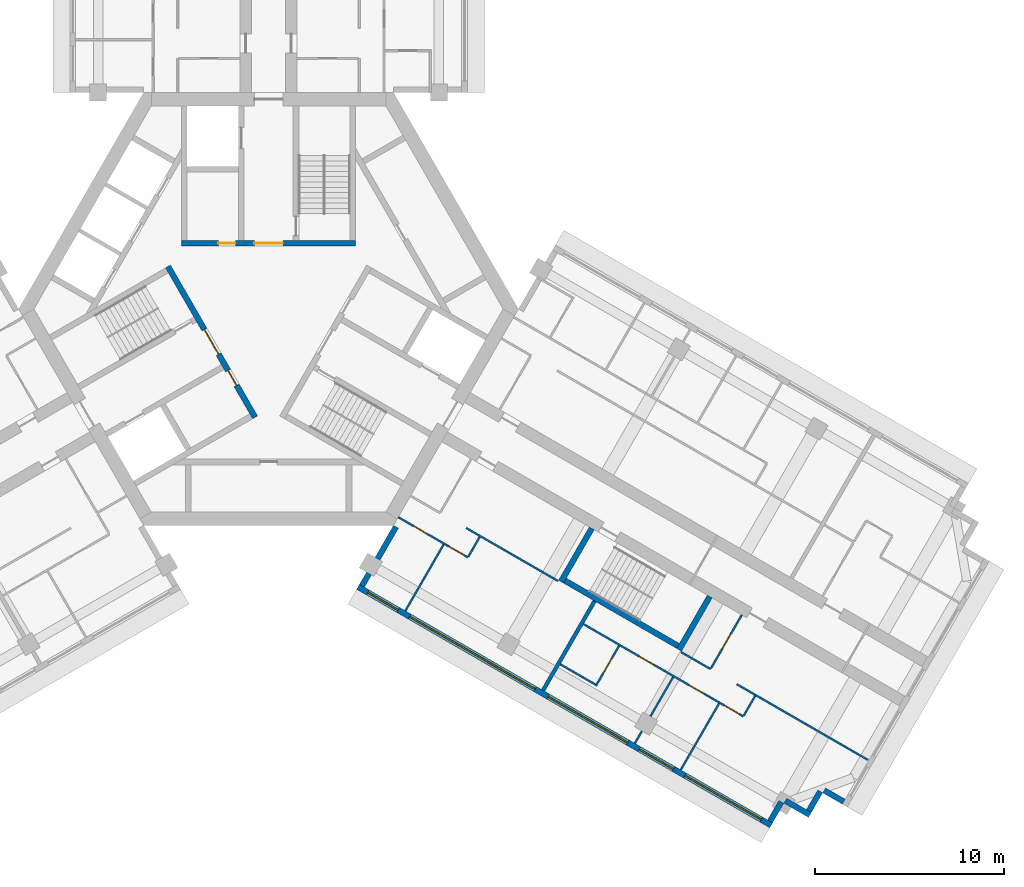
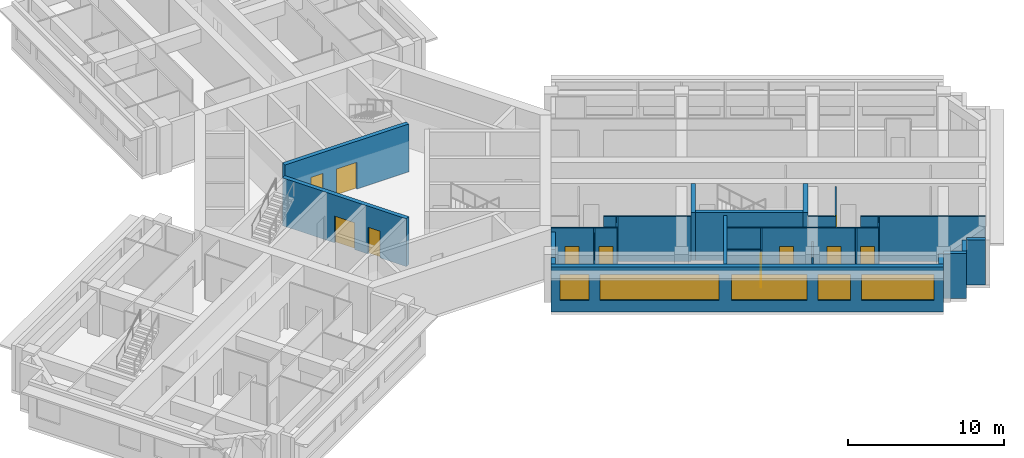
# One storey, part 4 of 10: 27 walls, 11 doors, 5 windows, 16 openings.
"""IFC4 building model written with IfcOpenShell, lengths in metres."""

import ifcopenshell
import ifcopenshell.guid

model = None  # the IFC model being written
_history = None  # IfcOwnerHistory: only IFC2X3 demands one
_inside = {}  # id of a spatial element -> (the spatial element, [elements in it])
_under = {}  # id of a project, library or spatial element -> (it, [spatial elements below it])
_declared = {}  # id of a project -> (the project, [libraries it declares])
_typed = {}  # id of a type object -> (the type object, [elements of that type])
_made_of = {}  # id of a material, layer set ... -> (it, [elements and type objects made of it])


def new_model(schema):
    """Start an empty IFC model of exactly this schema.

    Asked for "IFC4X3", IfcOpenShell would pick the latest addendum, in which some entities
    have other attributes; the version numbers below select the first issue.
    IFC2X3 requires an IfcOwnerHistory on every rooted entity: one is made here for all.
    """
    global model, _history
    if schema == "IFC4X3":
        model = ifcopenshell.file(schema_version=(4, 3, 0, 0))
    else:
        model = ifcopenshell.file(schema=schema)
    _inside.clear()
    _under.clear()
    _declared.clear()
    _typed.clear()
    _made_of.clear()
    _history = None
    if model.schema == "IFC2X3":
        org = make("IfcOrganization", Name="unknown")
        user = make(
            "IfcPersonAndOrganization",
            ThePerson=make("IfcPerson", FamilyName="unknown"),
            TheOrganization=org,
        )
        app = make(
            "IfcApplication",
            ApplicationDeveloper=org,
            Version="unknown",
            ApplicationFullName="unknown",
            ApplicationIdentifier="unknown",
        )
        _history = make(
            "IfcOwnerHistory",
            OwningUser=user,
            OwningApplication=app,
            ChangeAction="ADDED",
            CreationDate=0,
        )
    return model


def make(cls, **values):
    """One entity of the class cls with the attributes given. An attribute that is None is left unset."""
    return model.create_entity(
        cls, **{name: value for name, value in values.items() if value is not None}
    )


def rooted(cls, **values):
    """An entity with a GlobalId (a new one), such as an element, a storey or a relation."""
    return make(cls, GlobalId=ifcopenshell.guid.new(), OwnerHistory=_history, **values)


def si_unit(unit_type, name, prefix=None):
    """IfcSIUnit, for example si_unit("LENGTHUNIT", "METRE", prefix="MILLI")."""
    return make("IfcSIUnit", UnitType=unit_type, Prefix=prefix, Name=name)


def assignment(units):
    """IfcUnitAssignment: the units of a project."""
    return None if units is None else make("IfcUnitAssignment", Units=units)


def point(xyz):
    """IfcCartesianPoint."""
    return None if xyz is None else make("IfcCartesianPoint", Coordinates=xyz)


def direction(xyz):
    """IfcDirection."""
    return None if xyz is None else make("IfcDirection", DirectionRatios=xyz)


def frame(location, z_axis=None, x_axis=None):
    """IfcAxis2Placement3D, a coordinate frame: its origin and axes. An axis left out is left unset."""
    return make(
        "IfcAxis2Placement3D",
        Location=point(location),
        Axis=direction(z_axis),
        RefDirection=direction(x_axis),
    )


def frame_2d(location, x_axis=None):
    """IfcAxis2Placement2D, a coordinate frame in the plane: its origin and x axis."""
    return make(
        "IfcAxis2Placement2D", Location=point(location), RefDirection=direction(x_axis)
    )


def origin():
    """The frame at (0, 0, 0) with its axes left unset."""
    return frame((0.0, 0.0, 0.0))


def place(relative_to, where):
    """IfcLocalPlacement: puts the frame where relative to a parent placement (None: the world)."""
    return make(
        "IfcLocalPlacement", PlacementRelTo=relative_to, RelativePlacement=where
    )


def context(
    kind, dimensions, precision=None, world=None, true_north=None, identifier=None
):
    """IfcGeometricRepresentationContext, for example the 3D "Model" context."""
    return make(
        "IfcGeometricRepresentationContext",
        ContextIdentifier=identifier,
        ContextType=kind,
        CoordinateSpaceDimension=dimensions,
        Precision=precision,
        WorldCoordinateSystem=world,
        TrueNorth=true_north,
    )


def subcontext(parent, identifier, kind, view, scale=None):
    """IfcGeometricRepresentationSubContext, for example "Body" below "Model"."""
    return make(
        "IfcGeometricRepresentationSubContext",
        ContextIdentifier=identifier,
        ContextType=kind,
        ParentContext=parent,
        TargetScale=scale,
        TargetView=view,
    )


def project(units=None, contexts=None):
    """IfcProject with its units and contexts."""
    return rooted(
        "IfcProject",
        Name="project",
        RepresentationContexts=contexts,
        UnitsInContext=assignment(units),
    )


def spatial(cls, under=None, at=None, **own):
    """A site, building, storey or space (cls), placed at a placement, below another one or the project."""
    s = rooted(cls, ObjectPlacement=at, **own)
    if under is not None:
        _under.setdefault(under.id(), (under, []))[1].append(s)
    return s


def profile(cls, at=None, kind="AREA", **sizes):
    """A parametric profile (cls). Its sizes go by their IFC names, for example OverallWidth=200.0."""
    return make(cls, ProfileType=kind, Position=at, **sizes)


def rectangle(**sizes):
    """IfcRectangleProfileDef."""
    return profile("IfcRectangleProfileDef", **sizes)


def extrude(swept, where, along, depth):
    """IfcExtrudedAreaSolid: the profile swept, set in the frame where, extruded along a direction by depth."""
    return make(
        "IfcExtrudedAreaSolid",
        SweptArea=swept,
        Position=where,
        ExtrudedDirection=direction(along),
        Depth=depth,
    )


def shape(context_of_items, identifier, shape_type, items):
    """IfcShapeRepresentation: the items that make up one representation, for example the "Body"."""
    return make(
        "IfcShapeRepresentation",
        ContextOfItems=context_of_items,
        RepresentationIdentifier=identifier,
        RepresentationType=shape_type,
        Items=items,
    )


def material(Name=None, Category=None):
    """IfcMaterial."""
    return make("IfcMaterial", Name=Name, Category=Category)


def layer(
    of_material, thickness, ventilated=None, Name=None, Category=None, Priority=None
):
    """IfcMaterialLayer: one layer of a wall or slab, of a material (None: an air gap)."""
    return make(
        "IfcMaterialLayer",
        Material=of_material,
        LayerThickness=thickness,
        IsVentilated=ventilated,
        Name=Name,
        Category=Category,
        Priority=Priority,
    )


def layer_set(layers, Name=None):
    """IfcMaterialLayerSet."""
    return make("IfcMaterialLayerSet", MaterialLayers=layers, LayerSetName=Name)


def made_of(thing, what):
    """Note that an element or type object is made of a material, layer set ...; save() writes the relation."""
    if what is not None:
        _made_of.setdefault(what.id(), (what, []))[1].append(thing)
    return thing


def type_object(cls, material=None, **own):
    """A type object (cls), such as IfcWallType, which elements share."""
    return made_of(rooted(cls, **own), material)


def element(
    cls,
    number,
    at=None,
    inside=None,
    cuts=None,
    type_object=None,
    material=None,
    context=None,
    identifier="Body",
    shape_type=None,
    held_by="IfcProductDefinitionShape",
    body=None,
    shapes=None,
    **own,
):
    """One element of the class cls, such as IfcWall. Its Tag is "e" and its number.

    at: its placement. inside: the storey or other place that contains it. cuts: it is an
    opening in that element (IfcRelVoidsElement). A single representation is given by context,
    identifier, shape_type and body (its items); several are given by shapes. held_by: the class
    of the entity that holds the representations. save() writes the other relations.
    """
    e = rooted(cls, Tag="e%d" % number, ObjectPlacement=at, **own)
    if body is not None:
        shapes = [shape(context, identifier, shape_type, body)]
    if shapes is not None:
        e.Representation = make(held_by, Representations=shapes)
    if inside is not None:
        _inside.setdefault(inside.id(), (inside, []))[1].append(e)
    if cuts is not None:
        rooted(
            "IfcRelVoidsElement", RelatingBuildingElement=cuts, RelatedOpeningElement=e
        )
    if type_object is not None:
        _typed.setdefault(type_object.id(), (type_object, []))[1].append(e)
    return made_of(e, material)


def fill(opening, filler):
    """IfcRelFillsElement: the door or window that sits in an opening."""
    return rooted(
        "IfcRelFillsElement",
        RelatingOpeningElement=opening,
        RelatedBuildingElement=filler,
    )


def aggregate(whole, parts):
    """IfcRelAggregates: a whole, such as a stair, and the parts it consists of."""
    return rooted("IfcRelAggregates", RelatingObject=whole, RelatedObjects=parts)


def save(model, path):
    """Write the relations noted so far, then the file.

    IfcRelAggregates (storeys below a building ...), IfcRelContainedInSpatialStructure (elements
    in a storey), IfcRelDefinesByType, IfcRelAssociatesMaterial and IfcRelDeclares: one each for
    every whole, place, type object, material and project.
    """
    for whole, parts in _under.values():
        aggregate(whole, parts)
    for where, things in _inside.values():
        rooted(
            "IfcRelContainedInSpatialStructure",
            RelatedElements=things,
            RelatingStructure=where,
        )
    for kind, things in _typed.values():
        rooted("IfcRelDefinesByType", RelatedObjects=things, RelatingType=kind)
    for what, things in _made_of.values():
        rooted("IfcRelAssociatesMaterial", RelatedObjects=things, RelatingMaterial=what)
    for by, libraries in _declared.values():
        rooted("IfcRelDeclares", RelatingContext=by, RelatedDefinitions=libraries)
    model.write(path)


model = new_model("IFC4")

# Units and contexts
model_context = context("Model", 3, precision=1e-05, world=origin(), true_north=direction((0.0, 1.0)))
body_context = subcontext(model_context, "Body", "Model", "MODEL_VIEW")
ifc_project = project(units=[si_unit("LENGTHUNIT", "METRE"), si_unit("AREAUNIT", "SQUARE_METRE"), si_unit("VOLUMEUNIT", "CUBIC_METRE"), si_unit("PLANEANGLEUNIT", "RADIAN"), si_unit("MASSUNIT", "GRAM", prefix="KILO")], contexts=[model_context])

# Site, building, storey
site_placement = place(None, origin())
site = spatial("IfcSite", under=ifc_project, at=site_placement, CompositionType="ELEMENT")
building_placement = place(site_placement, origin())
building = spatial("IfcBuilding", under=site, at=building_placement, Name="Impinga Residences", CompositionType="ELEMENT")
storey_placement = place(building_placement, frame((0.0, 0.0, 237.25)))
storey = spatial("IfcBuildingStorey", under=building, at=storey_placement, Name="L59", CompositionType="ELEMENT", Elevation=237.25)

# Walls
ifc_material_1 = material(Name="Terracotta rainscreen on blockwork", Category="masonry")
ifc_layer_1 = layer(ifc_material_1, 0.300048828125)
ifc_layer_set_1 = layer_set([ifc_layer_1], Name="EW1 external wall, terracotta rainscreen on blockwork 300")
wall_type_1 = type_object("IfcWallType", Name="EW1 external wall, terracotta rainscreen on blockwork 300", PredefinedType="SOLIDWALL", material=ifc_layer_set_1)
wall_1_placement = place(storey_placement, frame((30.38720703125, -26.031005859375, 0.0), z_axis=(0.0, 0.0, 1.0), x_axis=(-0.866059708757, 0.499940577336, 0.0)))
element("IfcWall", 1, at=wall_1_placement, inside=storey, type_object=wall_type_1, Name="External wall EW1 L59", PredefinedType="SOLIDWALL", context=body_context, shape_type="SweptSolid", body=[
    extrude(rectangle(XDim=1.195068359375, YDim=0.300048828125, at=frame_2d((0.59765625, 0.0))), origin(), (0.0, 0.0, 1.0), 3.530029296875),
])
wall_2_placement = place(storey_placement, frame((29.14306640625, -25.48583984375, 0.0), z_axis=(0.0, 0.0, 1.0), x_axis=(-0.500033551112, -0.866006032174, 0.0)))
element("IfcWall", 2, at=wall_2_placement, inside=storey, type_object=wall_type_1, Name="External wall EW1 L59", PredefinedType="SOLIDWALL", context=body_context, shape_type="SweptSolid", body=[
    extrude(rectangle(XDim=1.2001953125, YDim=0.300048828125, at=frame_2d((0.60009765625, 0.0))), origin(), (0.0, 0.0, 1.0), 3.530029296875),
])
wall_3_placement = place(storey_placement, frame((28.597900390625, -26.72998046875, 0.0), z_axis=(0.0, 0.0, 1.0), x_axis=(-0.866031096941, 0.499990139034, 0.0)))
element("IfcWall", 3, at=wall_3_placement, inside=storey, type_object=wall_type_1, Name="External wall EW1 L59", PredefinedType="SOLIDWALL", context=body_context, shape_type="SweptSolid", body=[
    extrude(rectangle(XDim=1.5, YDim=0.300048828125, at=frame_2d((0.75, 0.0))), origin(), (0.0, 0.0, 1.0), 3.530029296875),
])
wall_4_placement = place(storey_placement, frame((27.091552734375, -26.039306640625, 0.0), z_axis=(0.0, 0.0, 1.0), x_axis=(-0.500093796661, -0.865971243484, 0.0)))
element("IfcWall", 4, at=wall_4_placement, inside=storey, type_object=wall_type_1, Name="External wall EW1 L59", PredefinedType="SOLIDWALL", context=body_context, shape_type="SweptSolid", body=[
    extrude(rectangle(XDim=1.195068359375, YDim=0.300048828125, at=frame_2d((0.59765625, 0.0))), origin(), (0.0, 0.0, 1.0), 3.530029296875),
])

# Wall, openings, windows
wall_5_placement = place(storey_placement, frame((26.548828125, -27.279052734375, 0.0), z_axis=(0.0, 0.0, 1.0), x_axis=(-0.866026832479, 0.499997525421, 0.0)))
wall_5 = element("IfcWall", 5, at=wall_5_placement, inside=storey, type_object=wall_type_1, Name="External wall EW1 L59", PredefinedType="SOLIDWALL", context=body_context, shape_type="SweptSolid", body=[
    extrude(rectangle(XDim=25.199951171875, YDim=0.300048828125, at=frame_2d((12.60009765625, 0.0))), origin(), (0.0, 0.0, 1.0), 3.530029296875),
])
opening_1_placement = place(wall_5_placement, frame((0.60009765625, 0.0, 0.89990234375)))
opening_1 = element("IfcOpeningElement", 6, at=opening_1_placement, cuts=wall_5, Name="Opening W10", PredefinedType="OPENING", context=body_context, shape_type="SweptSolid", body=[
    extrude(rectangle(XDim=4.64990234375, YDim=2.050048828125, at=frame_2d((2.324951171875, 1.02490234375))), frame((0.0, 0.159912109375, 0.0), z_axis=(0.0, -1.0, 0.0), x_axis=(1.0, 0.0, 0.0)), (0.0, 0.0, 1.0), 0.320068359375),
])
opening_2_placement = place(wall_5_placement, frame((5.949951171875, 0.0, 0.89990234375)))
opening_2 = element("IfcOpeningElement", 7, at=opening_2_placement, cuts=wall_5, Name="Opening W9", PredefinedType="OPENING", context=body_context, shape_type="SweptSolid", body=[
    extrude(rectangle(XDim=2.10009765625, YDim=2.050048828125, at=frame_2d((1.050048828125, 1.02490234375))), frame((0.0, 0.159912109375, 0.0), z_axis=(0.0, -1.0, 0.0), x_axis=(1.0, 0.0, 0.0)), (0.0, 0.0, 1.0), 0.320068359375),
])
opening_3_placement = place(wall_5_placement, frame((8.75, 0.0, 0.89990234375)))
opening_3 = element("IfcOpeningElement", 8, at=opening_3_placement, cuts=wall_5, Name="Opening W6", PredefinedType="OPENING", context=body_context, shape_type="SweptSolid", body=[
    extrude(rectangle(XDim=4.85009765625, YDim=2.050048828125, at=frame_2d((2.425048828125, 1.02490234375))), frame((0.0, 0.159912109375, 0.0), z_axis=(0.0, -1.0, 0.0), x_axis=(1.0, 0.0, 0.0)), (0.0, 0.0, 1.0), 0.320068359375),
])
opening_4_placement = place(wall_5_placement, frame((14.39990234375, 0.0, 0.89990234375)))
opening_4 = element("IfcOpeningElement", 9, at=opening_4_placement, cuts=wall_5, Name="Opening W13", PredefinedType="OPENING", context=body_context, shape_type="SweptSolid", body=[
    extrude(rectangle(XDim=7.64990234375, YDim=2.050048828125, at=frame_2d((3.824951171875, 1.02490234375))), frame((0.0, 0.159912109375, 0.0), z_axis=(0.0, -1.0, 0.0), x_axis=(1.0, 0.0, 0.0)), (0.0, 0.0, 1.0), 0.320068359375),
])
opening_5_placement = place(wall_5_placement, frame((22.75, 0.0, 0.89990234375)))
opening_5 = element("IfcOpeningElement", 10, at=opening_5_placement, cuts=wall_5, Name="Opening W15", PredefinedType="OPENING", context=body_context, shape_type="SweptSolid", body=[
    extrude(rectangle(XDim=1.85009765625, YDim=2.050048828125, at=frame_2d((0.925048828125, 1.02490234375))), frame((0.0, 0.159912109375, 0.0), z_axis=(0.0, -1.0, 0.0), x_axis=(1.0, 0.0, 0.0)), (0.0, 0.0, 1.0), 0.320068359375),
])
ifc_material_2 = material(Name="Aluminium window, clear double glazing", Category="aluminium")
window_type_1 = type_object("IfcWindowType", Name="W10 ribbon window 4650x2050", PartitioningType="SINGLE_PANEL", PredefinedType="WINDOW", material=ifc_material_2)
window_1_placement = place(opening_1_placement, origin())
window_1 = element("IfcWindow", 11, at=window_1_placement, inside=storey, type_object=window_type_1, Name="Window L59", OverallHeight=2.050048828125, OverallWidth=4.64990234375, PartitioningType="SINGLE_PANEL", PredefinedType="WINDOW", context=body_context, shape_type="SweptSolid", body=[
    extrude(rectangle(XDim=4.64990234375, YDim=2.050048828125, at=frame_2d((2.324951171875, 1.02490234375))), frame((0.0, 0.030029296875, 0.0), z_axis=(0.0, -1.0, 0.0), x_axis=(1.0, 0.0, 0.0)), (0.0, 0.0, 1.0), 0.06005859375),
])
fill(opening_1, window_1)
window_type_2 = type_object("IfcWindowType", Name="W13 ribbon window 7650x2050", PartitioningType="SINGLE_PANEL", PredefinedType="WINDOW", material=ifc_material_2)
window_2_placement = place(opening_4_placement, origin())
window_2 = element("IfcWindow", 12, at=window_2_placement, inside=storey, type_object=window_type_2, Name="Window L59", OverallHeight=2.050048828125, OverallWidth=7.64990234375, PartitioningType="SINGLE_PANEL", PredefinedType="WINDOW", context=body_context, shape_type="SweptSolid", body=[
    extrude(rectangle(XDim=7.64990234375, YDim=2.050048828125, at=frame_2d((3.824951171875, 1.02490234375))), frame((0.0, 0.030029296875, 0.0), z_axis=(0.0, -1.0, 0.0), x_axis=(1.0, 0.0, 0.0)), (0.0, 0.0, 1.0), 0.06005859375),
])
fill(opening_4, window_2)
window_type_3 = type_object("IfcWindowType", Name="W15 ribbon window 1850x2050", PartitioningType="SINGLE_PANEL", PredefinedType="WINDOW", material=ifc_material_2)
window_3_placement = place(opening_5_placement, origin())
window_3 = element("IfcWindow", 13, at=window_3_placement, inside=storey, type_object=window_type_3, Name="Window L59", OverallHeight=2.050048828125, OverallWidth=1.85009765625, PartitioningType="SINGLE_PANEL", PredefinedType="WINDOW", context=body_context, shape_type="SweptSolid", body=[
    extrude(rectangle(XDim=1.85009765625, YDim=2.050048828125, at=frame_2d((0.925048828125, 1.02490234375))), frame((0.0, 0.030029296875, 0.0), z_axis=(0.0, -1.0, 0.0), x_axis=(1.0, 0.0, 0.0)), (0.0, 0.0, 1.0), 0.06005859375),
])
fill(opening_5, window_3)
window_type_4 = type_object("IfcWindowType", Name="W6 ribbon window 4850x2050", PartitioningType="SINGLE_PANEL", PredefinedType="WINDOW", material=ifc_material_2)
window_4_placement = place(opening_3_placement, origin())
window_4 = element("IfcWindow", 14, at=window_4_placement, inside=storey, type_object=window_type_4, Name="Window L59", OverallHeight=2.050048828125, OverallWidth=4.85009765625, PartitioningType="SINGLE_PANEL", PredefinedType="WINDOW", context=body_context, shape_type="SweptSolid", body=[
    extrude(rectangle(XDim=4.85009765625, YDim=2.050048828125, at=frame_2d((2.425048828125, 1.02490234375))), frame((0.0, 0.030029296875, 0.0), z_axis=(0.0, -1.0, 0.0), x_axis=(1.0, 0.0, 0.0)), (0.0, 0.0, 1.0), 0.06005859375),
])
fill(opening_3, window_4)
window_type_5 = type_object("IfcWindowType", Name="W9 ribbon window 2100x2050", PartitioningType="SINGLE_PANEL", PredefinedType="WINDOW", material=ifc_material_2)
window_5_placement = place(opening_2_placement, origin())
window_5 = element("IfcWindow", 15, at=window_5_placement, inside=storey, type_object=window_type_5, Name="Window L59", OverallHeight=2.050048828125, OverallWidth=2.10009765625, PartitioningType="SINGLE_PANEL", PredefinedType="WINDOW", context=body_context, shape_type="SweptSolid", body=[
    extrude(rectangle(XDim=2.10009765625, YDim=2.050048828125, at=frame_2d((1.050048828125, 1.02490234375))), frame((0.0, 0.030029296875, 0.0), z_axis=(0.0, -1.0, 0.0), x_axis=(1.0, 0.0, 0.0)), (0.0, 0.0, 1.0), 0.06005859375),
])
fill(opening_2, window_5)

# Walls
wall_6_placement = place(storey_placement, frame((4.929931640625, -14.624267578125, 0.0), z_axis=(0.0, 0.0, 1.0), x_axis=(0.499919672301, 0.866071776036, 0.0)))
element("IfcWall", 16, at=wall_6_placement, inside=storey, type_object=wall_type_1, Name="External wall EW1 L59", PredefinedType="SOLIDWALL", context=body_context, shape_type="SweptSolid", body=[
    extrude(rectangle(XDim=0.75, YDim=0.300048828125, at=frame_2d((0.375, 0.0))), origin(), (0.0, 0.0, 1.0), 3.530029296875),
])
wall_7_placement = place(storey_placement, frame((5.7548828125, -13.1953125, 0.0), z_axis=(0.0, 0.0, 1.0), x_axis=(0.500043961785, 0.866000020948, 0.0)))
element("IfcWall", 17, at=wall_7_placement, inside=storey, type_object=wall_type_1, Name="External wall EW1 L59", PredefinedType="SOLIDWALL", context=body_context, shape_type="SweptSolid", body=[
    extrude(rectangle(XDim=1.949951171875, YDim=0.300048828125, at=frame_2d((0.97509765625, 0.0))), origin(), (0.0, 0.0, 1.0), 3.530029296875),
])
ifc_material_3 = material(Name="Gypsum board on steel studs", Category="steel")
ifc_layer_2 = layer(ifc_material_3, 0.10009765625)
ifc_layer_set_2 = layer_set([ifc_layer_2], Name="Gypsum board on steel studs")
wall_type_2 = type_object("IfcWallType", Name="IP1 partition 100", PredefinedType="PARTITIONING", material=ifc_layer_set_2)
wall_8_placement = place(storey_placement, frame((10.444580078125, -11.57275390625, 0.0), z_axis=(0.0, 0.0, 1.0), x_axis=(0.866015695474, -0.500016814911, 0.0)))
element("IfcWall", 18, at=wall_8_placement, inside=storey, type_object=wall_type_2, Name="Partition L59-EF1:DIV1", PredefinedType="PARTITIONING", context=body_context, shape_type="SweptSolid", body=[
    extrude(rectangle(XDim=5.599853515625, YDim=0.10009765625, at=frame_2d((2.7998046875, 0.0))), origin(), (0.0, 0.0, 1.0), 3.530029296875),
])

# Wall, openings, doors
wall_9_placement = place(storey_placement, frame((6.85009765625, -10.99853515625, 0.0), z_axis=(0.0, 0.0, 1.0), x_axis=(0.866014341725, -0.50001915956, 0.0)))
wall_9 = element("IfcWall", 19, at=wall_9_placement, inside=storey, type_object=wall_type_2, Name="Partition L59-EF1:STRIP", PredefinedType="PARTITIONING", context=body_context, shape_type="SweptSolid", body=[
    extrude(rectangle(XDim=4.249755859375, YDim=0.10009765625, at=frame_2d((2.125, 0.0))), origin(), (0.0, 0.0, 1.0), 3.530029296875),
])
opening_6_placement = place(wall_9_placement, frame((0.925048828125, 0.0, 0.0)))
opening_6 = element("IfcOpeningElement", 20, at=opening_6_placement, cuts=wall_9, Name="Opening D2", PredefinedType="OPENING", context=body_context, shape_type="SweptSolid", body=[
    extrude(rectangle(XDim=0.89990234375, YDim=2.10009765625, at=frame_2d((0.449951171875, 1.050048828125))), frame((0.0, 0.06005859375, 0.0), z_axis=(0.0, -1.0, 0.0), x_axis=(1.0, 0.0, 0.0)), (0.0, 0.0, 1.0), 0.1201171875),
])
opening_7_placement = place(wall_9_placement, frame((3.10009765625, 0.0, 0.0)))
opening_7 = element("IfcOpeningElement", 21, at=opening_7_placement, cuts=wall_9, Name="Opening D2", PredefinedType="OPENING", context=body_context, shape_type="SweptSolid", body=[
    extrude(rectangle(XDim=0.89990234375, YDim=2.10009765625, at=frame_2d((0.449951171875, 1.050048828125))), frame((0.0, 0.06005859375, 0.0), z_axis=(0.0, -1.0, 0.0), x_axis=(1.0, 0.0, 0.0)), (0.0, 0.0, 1.0), 0.1201171875),
])
ifc_material_4 = material(Name="Timber door set", Category="wood")
door_type_1 = type_object("IfcDoorType", Name="D2 internal door 900x2100", OperationType="SINGLE_SWING_LEFT", PredefinedType="DOOR", material=ifc_material_4)
door_1_placement = place(opening_6_placement, origin())
door_1 = element("IfcDoor", 22, at=door_1_placement, inside=storey, type_object=door_type_1, Name="Apartment L59-EF1 room door", OperationType="SINGLE_SWING_LEFT", OverallHeight=2.10009765625, OverallWidth=0.89990234375, PredefinedType="DOOR", context=body_context, shape_type="SweptSolid", body=[
    extrude(rectangle(XDim=0.89990234375, YDim=2.10009765625, at=frame_2d((0.449951171875, 1.050048828125))), frame((0.0, 0.02490234375, 0.0), z_axis=(0.0, -1.0, 0.0), x_axis=(1.0, 0.0, 0.0)), (0.0, 0.0, 1.0), 0.050048828125),
])
fill(opening_6, door_1)
door_2_placement = place(opening_7_placement, origin())
door_2 = element("IfcDoor", 23, at=door_2_placement, inside=storey, type_object=door_type_1, Name="Apartment L59-EF1 room door", OperationType="SINGLE_SWING_RIGHT", OverallHeight=2.10009765625, OverallWidth=0.89990234375, PredefinedType="DOOR", context=body_context, shape_type="SweptSolid", body=[
    extrude(rectangle(XDim=0.89990234375, YDim=2.10009765625, at=frame_2d((0.449951171875, 1.050048828125))), frame((0.0, 0.02490234375, 0.0), z_axis=(0.0, -1.0, 0.0), x_axis=(1.0, 0.0, 0.0)), (0.0, 0.0, 1.0), 0.050048828125),
])
fill(opening_7, door_2)

# Walls
wall_10_placement = place(storey_placement, frame((11.155517578125, -12.041015625, 0.0), z_axis=(0.0, 0.0, 1.0), x_axis=(-0.499880961361, -0.866094119867, 0.0)))
element("IfcWall", 24, at=wall_10_placement, inside=storey, type_object=wall_type_2, Name="Partition L59-EF1:SE1", PredefinedType="PARTITIONING", context=body_context, shape_type="SweptSolid", body=[
    extrude(rectangle(XDim=1.199951171875, YDim=0.10009765625, at=frame_2d((0.60009765625, 0.0))), origin(), (0.0, 0.0, 1.0), 3.530029296875),
])
wall_11_placement = place(storey_placement, frame((9.249755859375, -12.44189453125, 0.0), z_axis=(0.0, 0.0, 1.0), x_axis=(-0.499990325971, -0.866030989016, 0.0)))
element("IfcWall", 25, at=wall_11_placement, inside=storey, type_object=wall_type_2, Name="Partition L59-EF1:OB1", PredefinedType="PARTITIONING", context=body_context, shape_type="SweptSolid", body=[
    extrude(rectangle(XDim=4.0498046875, YDim=0.10009765625, at=frame_2d((2.02490234375, 0.0))), origin(), (0.0, 0.0, 1.0), 3.530029296875),
])
wall_12_placement = place(storey_placement, frame((21.789306640625, -18.122802734375, 0.0), z_axis=(0.0, 0.0, 1.0), x_axis=(0.866047807691, -0.499961193289, 0.0)))
element("IfcWall", 26, at=wall_12_placement, inside=storey, type_object=wall_type_2, Name="Partition L59-EF2:DIV0", PredefinedType="PARTITIONING", context=body_context, shape_type="SweptSolid", body=[
    extrude(rectangle(XDim=1.800048828125, YDim=0.10009765625, at=frame_2d((0.89990234375, 0.0))), origin(), (0.0, 0.0, 1.0), 3.530029296875),
])
wall_13_placement = place(storey_placement, frame((24.73388671875, -19.82275390625, 0.0), z_axis=(0.0, 0.0, 1.0), x_axis=(0.866026010844, -0.49999894854, 0.0)))
element("IfcWall", 27, at=wall_13_placement, inside=storey, type_object=wall_type_2, Name="Partition L59-EF2:DIV1", PredefinedType="PARTITIONING", context=body_context, shape_type="SweptSolid", body=[
    extrude(rectangle(XDim=8.0, YDim=0.10009765625, at=frame_2d((4.0, 0.0))), origin(), (0.0, 0.0, 1.0), 3.530029296875),
])

# Wall, openings, doors
wall_14_placement = place(storey_placement, frame((16.635986328125, -16.6484375, 0.0), z_axis=(0.0, 0.0, 1.0), x_axis=(0.866027967067, -0.499995560238, 0.0)))
wall_14 = element("IfcWall", 28, at=wall_14_placement, inside=storey, type_object=wall_type_2, Name="Partition L59-EF2:STRIP", PredefinedType="PARTITIONING", context=body_context, shape_type="SweptSolid", body=[
    extrude(rectangle(XDim=9.75, YDim=0.10009765625, at=frame_2d((4.875, 0.0))), origin(), (0.0, 0.0, 1.0), 3.530029296875),
])
opening_8_placement = place(wall_14_placement, frame((3.39990234375, 0.0, 0.0)))
opening_8 = element("IfcOpeningElement", 29, at=opening_8_placement, cuts=wall_14, Name="Opening D2", PredefinedType="OPENING", context=body_context, shape_type="SweptSolid", body=[
    extrude(rectangle(XDim=0.89990234375, YDim=2.10009765625, at=frame_2d((0.449951171875, 1.050048828125))), frame((0.0, 0.06005859375, 0.0), z_axis=(0.0, -1.0, 0.0), x_axis=(1.0, 0.0, 0.0)), (0.0, 0.0, 1.0), 0.1201171875),
])
opening_9_placement = place(wall_14_placement, frame((6.449951171875, 0.0, 0.0)))
opening_9 = element("IfcOpeningElement", 30, at=opening_9_placement, cuts=wall_14, Name="Opening D2", PredefinedType="OPENING", context=body_context, shape_type="SweptSolid", body=[
    extrude(rectangle(XDim=0.89990234375, YDim=2.10009765625, at=frame_2d((0.449951171875, 1.050048828125))), frame((0.0, 0.06005859375, 0.0), z_axis=(0.0, -1.0, 0.0), x_axis=(1.0, 0.0, 0.0)), (0.0, 0.0, 1.0), 0.1201171875),
])
opening_10_placement = place(wall_14_placement, frame((8.60009765625, 0.0, 0.0)))
opening_10 = element("IfcOpeningElement", 31, at=opening_10_placement, cuts=wall_14, Name="Opening D2", PredefinedType="OPENING", context=body_context, shape_type="SweptSolid", body=[
    extrude(rectangle(XDim=0.89990234375, YDim=2.10009765625, at=frame_2d((0.449951171875, 1.050048828125))), frame((0.0, 0.06005859375, 0.0), z_axis=(0.0, -1.0, 0.0), x_axis=(1.0, 0.0, 0.0)), (0.0, 0.0, 1.0), 0.1201171875),
])
door_3_placement = place(opening_8_placement, origin())
door_3 = element("IfcDoor", 32, at=door_3_placement, inside=storey, type_object=door_type_1, Name="Apartment L59-EF2 room door", OperationType="SINGLE_SWING_LEFT", OverallHeight=2.10009765625, OverallWidth=0.89990234375, PredefinedType="DOOR", context=body_context, shape_type="SweptSolid", body=[
    extrude(rectangle(XDim=0.89990234375, YDim=2.10009765625, at=frame_2d((0.449951171875, 1.050048828125))), frame((0.0, 0.02490234375, 0.0), z_axis=(0.0, -1.0, 0.0), x_axis=(1.0, 0.0, 0.0)), (0.0, 0.0, 1.0), 0.050048828125),
])
fill(opening_8, door_3)
door_4_placement = place(opening_9_placement, origin())
door_4 = element("IfcDoor", 33, at=door_4_placement, inside=storey, type_object=door_type_1, Name="Apartment L59-EF2 room door", OperationType="SINGLE_SWING_RIGHT", OverallHeight=2.10009765625, OverallWidth=0.89990234375, PredefinedType="DOOR", context=body_context, shape_type="SweptSolid", body=[
    extrude(rectangle(XDim=0.89990234375, YDim=2.10009765625, at=frame_2d((0.449951171875, 1.050048828125))), frame((0.0, 0.02490234375, 0.0), z_axis=(0.0, -1.0, 0.0), x_axis=(1.0, 0.0, 0.0)), (0.0, 0.0, 1.0), 0.050048828125),
])
fill(opening_9, door_4)
door_5_placement = place(opening_10_placement, origin())
door_5 = element("IfcDoor", 34, at=door_5_placement, inside=storey, type_object=door_type_1, Name="Apartment L59-EF2 room door", OperationType="SINGLE_SWING_RIGHT", OverallHeight=2.10009765625, OverallWidth=0.89990234375, PredefinedType="DOOR", context=body_context, shape_type="SweptSolid", body=[
    extrude(rectangle(XDim=0.89990234375, YDim=2.10009765625, at=frame_2d((0.449951171875, 1.050048828125))), frame((0.0, 0.02490234375, 0.0), z_axis=(0.0, -1.0, 0.0), x_axis=(1.0, 0.0, 0.0)), (0.0, 0.0, 1.0), 0.050048828125),
])
fill(opening_10, door_5)

# Wall
wall_15_placement = place(storey_placement, frame((25.704833984375, -20.44091796875, 0.0), z_axis=(0.0, 0.0, 1.0), x_axis=(-0.500033551112, -0.866006032174, 0.0)))
element("IfcWall", 35, at=wall_15_placement, inside=storey, type_object=wall_type_2, Name="Partition L59-EF2:SE1", PredefinedType="PARTITIONING", context=body_context, shape_type="SweptSolid", body=[
    extrude(rectangle(XDim=1.2001953125, YDim=0.10009765625, at=frame_2d((0.60009765625, 0.0))), origin(), (0.0, 0.0, 1.0), 3.530029296875),
])

# Wall, opening, door
wall_16_placement = place(storey_placement, frame((24.998291015625, -16.164794921875, 0.0), z_axis=(0.0, 0.0, 1.0), x_axis=(-0.499984717929, -0.866034226713, 0.0)))
wall_16 = element("IfcWall", 36, at=wall_16_placement, inside=storey, type_object=wall_type_2, Name="Partition L59-EF2:IB1", PredefinedType="PARTITIONING", context=body_context, shape_type="SweptSolid", body=[
    extrude(rectangle(XDim=3.25, YDim=0.10009765625, at=frame_2d((1.625, 0.0))), origin(), (0.0, 0.0, 1.0), 3.530029296875),
])
opening_11_placement = place(wall_16_placement, frame((1.175048828125, 0.0, 0.0)))
opening_11 = element("IfcOpeningElement", 37, at=opening_11_placement, cuts=wall_16, Name="Opening D2", PredefinedType="OPENING", context=body_context, shape_type="SweptSolid", body=[
    extrude(rectangle(XDim=0.89990234375, YDim=2.10009765625, at=frame_2d((0.449951171875, 1.050048828125))), frame((0.0, 0.06005859375, 0.0), z_axis=(0.0, -1.0, 0.0), x_axis=(1.0, 0.0, 0.0)), (0.0, 0.0, 1.0), 0.1201171875),
])
door_6_placement = place(opening_11_placement, origin())
door_6 = element("IfcDoor", 38, at=door_6_placement, inside=storey, type_object=door_type_1, Name="Apartment L59-EF2 bathroom door", OperationType="SINGLE_SWING_LEFT", OverallHeight=2.10009765625, OverallWidth=0.89990234375, PredefinedType="DOOR", context=body_context, shape_type="SweptSolid", body=[
    extrude(rectangle(XDim=0.89990234375, YDim=2.10009765625, at=frame_2d((0.449951171875, 1.050048828125))), frame((0.0, 0.02490234375, 0.0), z_axis=(0.0, -1.0, 0.0), x_axis=(1.0, 0.0, 0.0)), (0.0, 0.0, 1.0), 0.050048828125),
])
fill(opening_11, door_6)

# Walls
wall_17_placement = place(storey_placement, frame((21.374267578125, -19.44189453125, 0.0), z_axis=(0.0, 0.0, 1.0), x_axis=(-0.500001309137, -0.866024647952, 0.0)))
element("IfcWall", 39, at=wall_17_placement, inside=storey, type_object=wall_type_2, Name="Partition L59-EF2:OB1", PredefinedType="PARTITIONING", context=body_context, shape_type="SweptSolid", body=[
    extrude(rectangle(XDim=2.39990234375, YDim=0.10009765625, at=frame_2d((1.199951171875, 0.0))), origin(), (0.0, 0.0, 1.0), 2.47998046875),
])
wall_18_placement = place(storey_placement, frame((19.72412109375, -22.2998046875, 0.0), z_axis=(0.0, 0.0, 1.0), x_axis=(-0.500060622324, -0.86599040064, 0.0)))
element("IfcWall", 40, at=wall_18_placement, inside=storey, type_object=wall_type_2, Name="Partition L59-EF2:OB1b", PredefinedType="PARTITIONING", context=body_context, shape_type="SweptSolid", body=[
    extrude(rectangle(XDim=0.75, YDim=0.10009765625, at=frame_2d((0.375, 0.0))), origin(), (0.0, 0.0, 1.0), 3.530029296875),
])
wall_19_placement = place(storey_placement, frame((23.799072265625, -20.841796875, 0.0), z_axis=(0.0, 0.0, 1.0), x_axis=(-0.499990325971, -0.866030989016, 0.0)))
element("IfcWall", 41, at=wall_19_placement, inside=storey, type_object=wall_type_2, Name="Partition L59-EF2:OB2", PredefinedType="PARTITIONING", context=body_context, shape_type="SweptSolid", body=[
    extrude(rectangle(XDim=4.0498046875, YDim=0.10009765625, at=frame_2d((2.02490234375, 0.0))), origin(), (0.0, 0.0, 1.0), 3.530029296875),
])

# Wall, opening, door
wall_20_placement = place(storey_placement, frame((18.516357421875, -17.791748046875, 0.0), z_axis=(0.0, 0.0, 1.0), x_axis=(-0.500018594424, -0.866014668023, 0.0)))
wall_20 = element("IfcWall", 42, at=wall_20_placement, inside=storey, type_object=wall_type_2, Name="Partition L59-EF2:EN1", PredefinedType="PARTITIONING", context=body_context, shape_type="SweptSolid", body=[
    extrude(rectangle(XDim=2.4501953125, YDim=0.10009765625, at=frame_2d((1.22509765625, 0.0))), origin(), (0.0, 0.0, 1.0), 3.530029296875),
])
opening_12_placement = place(wall_20_placement, frame((0.75, 0.0, 0.0)))
opening_12 = element("IfcOpeningElement", 43, at=opening_12_placement, cuts=wall_20, Name="Opening D2", PredefinedType="OPENING", context=body_context, shape_type="SweptSolid", body=[
    extrude(rectangle(XDim=0.89990234375, YDim=2.10009765625, at=frame_2d((0.449951171875, 1.050048828125))), frame((0.0, 0.06005859375, 0.0), z_axis=(0.0, -1.0, 0.0), x_axis=(1.0, 0.0, 0.0)), (0.0, 0.0, 1.0), 0.1201171875),
])
door_7_placement = place(opening_12_placement, origin())
door_7 = element("IfcDoor", 44, at=door_7_placement, inside=storey, type_object=door_type_1, Name="Apartment L59-EF2 en-suite door", OperationType="SINGLE_SWING_LEFT", OverallHeight=2.10009765625, OverallWidth=0.89990234375, PredefinedType="DOOR", context=body_context, shape_type="SweptSolid", body=[
    extrude(rectangle(XDim=0.89990234375, YDim=2.10009765625, at=frame_2d((0.449951171875, 1.050048828125))), frame((0.0, 0.02490234375, 0.0), z_axis=(0.0, -1.0, 0.0), x_axis=(1.0, 0.0, 0.0)), (0.0, 0.0, 1.0), 0.050048828125),
])
fill(opening_12, door_7)

# Walls
wall_21_placement = place(storey_placement, frame((15.4111328125, -18.770263671875, 0.0), z_axis=(0.0, 0.0, 1.0), x_axis=(0.866019166195, -0.500010803666, 0.0)))
element("IfcWall", 45, at=wall_21_placement, inside=storey, type_object=wall_type_2, Name="Partition L59-EF2:EN2", PredefinedType="PARTITIONING", context=body_context, shape_type="SweptSolid", body=[
    extrude(rectangle(XDim=2.14990234375, YDim=0.10009765625, at=frame_2d((1.074951171875, 0.0))), origin(), (0.0, 0.0, 1.0), 3.530029296875),
])
ifc_material_5 = material(Name="Concrete blockwork", Category="masonry")
ifc_layer_3 = layer(ifc_material_5, 0.199951171875)
ifc_layer_set_3 = layer_set([ifc_layer_3], Name="PW1 party wall between apartments 200")
wall_type_3 = type_object("IfcWallType", Name="PW1 party wall between apartments 200", PredefinedType="SOLIDWALL", material=ifc_layer_set_3)
wall_22_placement = place(storey_placement, frame((17.224365234375, -15.429443359375, 0.0), z_axis=(0.0, 0.0, 1.0), x_axis=(-0.499988730927, -0.866031909889, 0.0)))
element("IfcWall", 46, at=wall_22_placement, inside=storey, type_object=wall_type_3, Name="Party wall between apartments L59-EF1:PARTY", PredefinedType="SOLIDWALL", context=body_context, shape_type="SweptSolid", body=[
    extrude(rectangle(XDim=5.449951171875, YDim=0.199951171875, at=frame_2d((2.72509765625, 0.0))), origin(), (0.0, 0.0, 1.0), 3.530029296875),
])
ifc_material_6 = material(Name="Concrete C60/75", Category="concrete")
ifc_layer_4 = layer(ifc_material_6, 0.300048828125)
ifc_layer_set_4 = layer_set([ifc_layer_4], Name="Concrete C60/75")
wall_type_4 = type_object("IfcWallType", Name="SE1 wing stair enclosure wall 300", PredefinedType="SOLIDWALL", material=ifc_layer_set_4)
for number, where, z_axis, x_axis, name in (
    (47, (17.07421875, -11.58984375, 0.0), (0.0, 0.0, 1.0), (-0.500017246033, -0.866015446554, 0.0), "Stair enclosure wall SE1 E END0 L59"),
    (48, (23.3095703125, -15.189697265625, 0.0), (0.0, 0.0, 1.0), (-0.499984717929, -0.866034226713, 0.0), "Stair enclosure wall SE1 E END1 L59"),
):
    element("IfcWall", number, at=place(storey_placement, frame(where, z_axis=z_axis, x_axis=x_axis)), inside=storey, type_object=wall_type_4, Name=name, PredefinedType="SOLIDWALL", context=body_context, shape_type="SweptSolid", body=[
        extrude(rectangle(XDim=3.25, YDim=0.300048828125, at=frame_2d((1.625, 0.0))), origin(), (0.0, 0.0, 1.0), 3.75),
    ])
wall_23_placement = place(storey_placement, frame((15.654052734375, -14.349365234375, 0.0), z_axis=(0.0, 0.0, 1.0), x_axis=(0.866013532718, -0.500020560727, 0.0)))
element("IfcWall", 49, at=wall_23_placement, inside=storey, type_object=wall_type_4, Name="Stair enclosure wall SE1 E OUT L59", PredefinedType="SOLIDWALL", context=body_context, shape_type="SweptSolid", body=[
    extrude(rectangle(XDim=6.900146484375, YDim=0.300048828125, at=frame_2d((3.4501953125, 0.0))), origin(), (0.0, 0.0, 1.0), 3.75),
])

# Wall, openings, doors
ifc_material_7 = material(Name="Concrete C70/85", Category="concrete")
ifc_layer_5 = layer(ifc_material_7, 0.300048828125)
ifc_layer_set_5 = layer_set([ifc_layer_5], Name="Concrete C70/85")
wall_type_5 = type_object("IfcWallType", Name="SW5 core inner wall, stairs, shafts and lobbies 300", PredefinedType="SHEAR", material=ifc_layer_set_5)
wall_24_placement = place(storey_placement, frame((-4.60009765625, 3.47998046875, 0.0), z_axis=(0.0, 0.0, 1.0), x_axis=(1.0, 0.0, 0.0)))
wall_24 = element("IfcWall", 50, at=wall_24_placement, inside=storey, type_object=wall_type_5, Name="Core wall SW5 N:ZONE L59", PredefinedType="SHEAR", context=body_context, shape_type="SweptSolid", body=[
    extrude(rectangle(XDim=9.2001953125, YDim=0.300048828125, at=frame_2d((4.60009765625, 0.0))), origin(), (0.0, 0.0, 1.0), 3.75),
])
opening_13_placement = place(wall_24_placement, frame((3.85009765625, 0.0, 0.0)))
opening_13 = element("IfcOpeningElement", 51, at=opening_13_placement, cuts=wall_24, Name="Opening D4", PredefinedType="OPENING", context=body_context, shape_type="SweptSolid", body=[
    extrude(rectangle(XDim=1.5, YDim=2.10009765625, at=frame_2d((0.75, 1.050048828125))), frame((0.0, 0.159912109375, 0.0), z_axis=(0.0, -1.0, 0.0), x_axis=(1.0, 0.0, 0.0)), (0.0, 0.0, 1.0), 0.320068359375),
])
opening_14_placement = place(wall_24_placement, frame((1.949951171875, 0.0, 0.0)))
opening_14 = element("IfcOpeningElement", 52, at=opening_14_placement, cuts=wall_24, Name="Opening D6", PredefinedType="OPENING", context=body_context, shape_type="SweptSolid", body=[
    extrude(rectangle(XDim=0.89990234375, YDim=2.10009765625, at=frame_2d((0.449951171875, 1.050048828125))), frame((0.0, 0.159912109375, 0.0), z_axis=(0.0, -1.0, 0.0), x_axis=(1.0, 0.0, 0.0)), (0.0, 0.0, 1.0), 0.320068359375),
])
door_type_2 = type_object("IfcDoorType", Name="D4 lobby door pair 1500x2100", OperationType="DOUBLE_DOOR_DOUBLE_SWING", PredefinedType="DOOR", material=ifc_material_4)
door_8_placement = place(opening_13_placement, origin())
door_8 = element("IfcDoor", 53, at=door_8_placement, inside=storey, type_object=door_type_2, Name="Firefighting lobby door N", OperationType="DOUBLE_DOOR_DOUBLE_SWING", OverallHeight=2.10009765625, OverallWidth=1.5, PredefinedType="DOOR", context=body_context, shape_type="SweptSolid", body=[
    extrude(rectangle(XDim=1.5, YDim=2.10009765625, at=frame_2d((0.75, 1.050048828125))), frame((0.0, 0.02490234375, 0.0), z_axis=(0.0, -1.0, 0.0), x_axis=(1.0, 0.0, 0.0)), (0.0, 0.0, 1.0), 0.050048828125),
])
fill(opening_13, door_8)
door_type_3 = type_object("IfcDoorType", Name="D6 riser and store door 900x2100", OperationType="SINGLE_SWING_LEFT", PredefinedType="DOOR", material=ifc_material_4)
door_9_placement = place(opening_14_placement, origin())
door_9 = element("IfcDoor", 54, at=door_9_placement, inside=storey, type_object=door_type_3, Name="Riser door N", OperationType="SINGLE_SWING_LEFT", OverallHeight=2.10009765625, OverallWidth=0.89990234375, PredefinedType="DOOR", context=body_context, shape_type="SweptSolid", body=[
    extrude(rectangle(XDim=0.89990234375, YDim=2.10009765625, at=frame_2d((0.449951171875, 1.050048828125))), frame((0.0, 0.02490234375, 0.0), z_axis=(0.0, -1.0, 0.0), x_axis=(1.0, 0.0, 0.0)), (0.0, 0.0, 1.0), 0.050048828125),
])
fill(opening_14, door_9)

wall_25_placement = place(storey_placement, frame((-0.7138671875, -5.7236328125, 0.0), z_axis=(0.0, 0.0, 1.0), x_axis=(-0.499995050369, 0.866028261437, 0.0)))
wall_25 = element("IfcWall", 55, at=wall_25_placement, inside=storey, type_object=wall_type_5, Name="Core wall SW5 W:ZONE L59", PredefinedType="SHEAR", context=body_context, shape_type="SweptSolid", body=[
    extrude(rectangle(XDim=9.19970703125, YDim=0.300048828125, at=frame_2d((4.599853515625, 0.0))), origin(), (0.0, 0.0, 1.0), 3.75),
])
opening_15_placement = place(wall_25_placement, frame((3.85009765625, 0.0, 0.0)))
opening_15 = element("IfcOpeningElement", 56, at=opening_15_placement, cuts=wall_25, Name="Opening D4", PredefinedType="OPENING", context=body_context, shape_type="SweptSolid", body=[
    extrude(rectangle(XDim=1.5, YDim=2.10009765625, at=frame_2d((0.75, 1.050048828125))), frame((0.0, 0.159912109375, 0.0), z_axis=(0.0, -1.0, 0.0), x_axis=(1.0, 0.0, 0.0)), (0.0, 0.0, 1.0), 0.320068359375),
])
opening_16_placement = place(wall_25_placement, frame((1.949951171875, 0.0, 0.0)))
opening_16 = element("IfcOpeningElement", 57, at=opening_16_placement, cuts=wall_25, Name="Opening D6", PredefinedType="OPENING", context=body_context, shape_type="SweptSolid", body=[
    extrude(rectangle(XDim=0.89990234375, YDim=2.10009765625, at=frame_2d((0.449951171875, 1.050048828125))), frame((0.0, 0.159912109375, 0.0), z_axis=(0.0, -1.0, 0.0), x_axis=(1.0, 0.0, 0.0)), (0.0, 0.0, 1.0), 0.320068359375),
])
door_10_placement = place(opening_15_placement, origin())
door_10 = element("IfcDoor", 58, at=door_10_placement, inside=storey, type_object=door_type_2, Name="Firefighting lobby door W", OperationType="DOUBLE_DOOR_DOUBLE_SWING", OverallHeight=2.10009765625, OverallWidth=1.5, PredefinedType="DOOR", context=body_context, shape_type="SweptSolid", body=[
    extrude(rectangle(XDim=1.5, YDim=2.10009765625, at=frame_2d((0.75, 1.050048828125))), frame((0.0, 0.02490234375, 0.0), z_axis=(0.0, -1.0, 0.0), x_axis=(1.0, 0.0, 0.0)), (0.0, 0.0, 1.0), 0.050048828125),
])
fill(opening_15, door_10)
door_11_placement = place(opening_16_placement, origin())
door_11 = element("IfcDoor", 59, at=door_11_placement, inside=storey, type_object=door_type_3, Name="Riser door W", OperationType="SINGLE_SWING_LEFT", OverallHeight=2.10009765625, OverallWidth=0.89990234375, PredefinedType="DOOR", context=body_context, shape_type="SweptSolid", body=[
    extrude(rectangle(XDim=0.89990234375, YDim=2.10009765625, at=frame_2d((0.449951171875, 1.050048828125))), frame((0.0, 0.02490234375, 0.0), z_axis=(0.0, -1.0, 0.0), x_axis=(1.0, 0.0, 0.0)), (0.0, 0.0, 1.0), 0.050048828125),
])
fill(opening_16, door_11)

save(model, "model.ifc")
